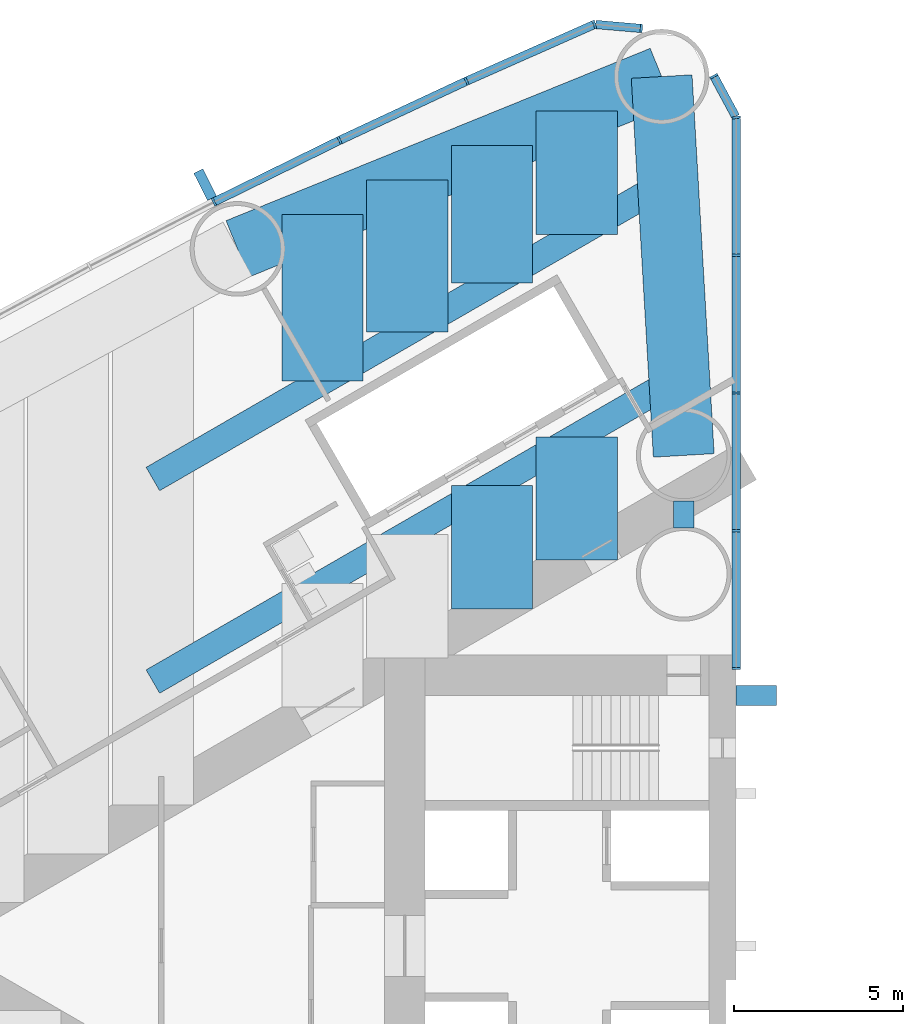
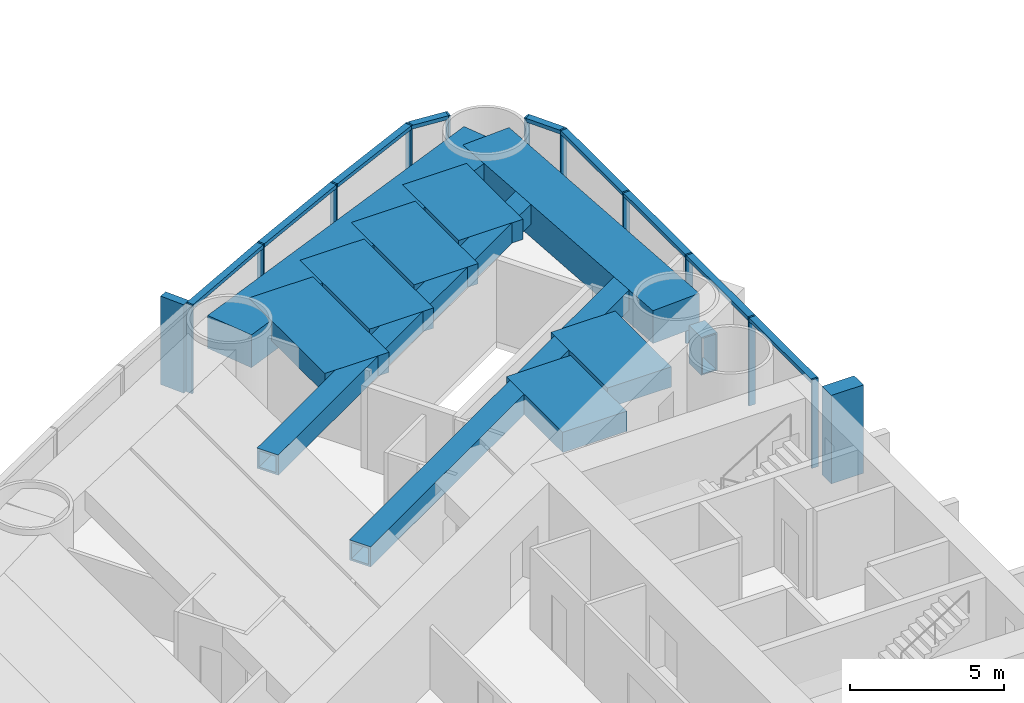
# One storey, part 5 of 18: 22 members, 11 beams, 2 elements without a shape of their own.
"""IFC4 building model written with IfcOpenShell, lengths in metres."""

from ifc_helpers import new_model, si_unit, direction, frame, origin, origin_2d, place, context, subcontext, project, spatial, rectangle, hollow_rectangle, extrude, material, material_profile, profile_set, type_object, element, aggregate, save


model = new_model("IFC4")

# Units and contexts
model_context = context("Model", 3, precision=1e-05, world=origin(), true_north=direction((0.0, 1.0)))
body_context = subcontext(model_context, "Body", "Model", "MODEL_VIEW")
ifc_project = project(units=[si_unit("LENGTHUNIT", "METRE"), si_unit("AREAUNIT", "SQUARE_METRE"), si_unit("VOLUMEUNIT", "CUBIC_METRE"), si_unit("PLANEANGLEUNIT", "RADIAN"), si_unit("MASSUNIT", "GRAM", prefix="KILO")], contexts=[model_context])

# Site, building, storey
site_placement = place(None, origin())
site = spatial("IfcSite", under=ifc_project, at=site_placement, CompositionType="ELEMENT")
building_placement = place(site_placement, origin())
building = spatial("IfcBuilding", under=site, at=building_placement, Name="Lancet Gate Hotel", CompositionType="ELEMENT")
storey_placement = place(building_placement, frame((0.0, 0.0, 46.0)))
storey = spatial("IfcBuildingStorey", under=building, at=storey_placement, Name="L11", CompositionType="ELEMENT", Elevation=46.0)

# Curtain wall, members
ifc_material_1 = material(Name="Aluminium curtain wall", Category="aluminium")
curtain_wall_type = type_object("IfcCurtainWallType", Name="Tower unitised curtain wall", PredefinedType="USERDEFINED", material=ifc_material_1)
curtain_wall_1_placement = place(storey_placement, origin())
curtain_wall_1 = element("IfcCurtainWall", 1, at=curtain_wall_1_placement, inside=storey, type_object=curtain_wall_type, Name="T1 L11 curtain wall 1", ObjectType="UNITISED CURTAIN WALL", PredefinedType="USERDEFINED")
ifc_material_2 = material(Name="Aluminium mullion", Category="aluminium")
ifc_material_profile_1 = material_profile(ifc_material_2, rectangle(XDim=0.06494140625, YDim=0.25, at=origin_2d()), Name="MULLION 65x250")
ifc_profile_set_1 = profile_set([ifc_material_profile_1], Name="Aluminium mullion")
member_type_1 = type_object("IfcMemberType", Name="Aluminium mullion 65x250", PredefinedType="MULLION", material=ifc_profile_set_1)
member_1_placement = place(storey_placement, frame((-27.5, 8.199951171875, 0.0), z_axis=(0.0, 0.0, 1.0), x_axis=(0.0, 1.0, 0.0)))
member_1 = element("IfcMember", 2, at=member_1_placement, type_object=member_type_1, Name="T1 L11 curtain wall 1 mullion 1", PredefinedType="MULLION", context=body_context, shape_type="SweptSolid", body=[
    extrude(rectangle(XDim=0.06494140625, YDim=0.25, at=origin_2d()), origin(), (0.0, 0.0, 1.0), 3.5),
])
member_2_placement = place(storey_placement, frame((-27.5, 12.272705078125, 0.0), z_axis=(0.0, 0.0, 1.0), x_axis=(0.0, 1.0, 0.0)))
member_2 = element("IfcMember", 3, at=member_2_placement, type_object=member_type_1, Name="T1 L11 curtain wall 1 mullion 2", PredefinedType="MULLION", context=body_context, shape_type="SweptSolid", body=[
    extrude(rectangle(XDim=0.06494140625, YDim=0.25, at=origin_2d()), origin(), (0.0, 0.0, 1.0), 3.5),
])
member_3_placement = place(storey_placement, frame((-27.5, 16.345703125, 0.0), z_axis=(0.0, 0.0, 1.0), x_axis=(0.0, 1.0, 0.0)))
member_3 = element("IfcMember", 4, at=member_3_placement, type_object=member_type_1, Name="T1 L11 curtain wall 1 mullion 3", PredefinedType="MULLION", context=body_context, shape_type="SweptSolid", body=[
    extrude(rectangle(XDim=0.06494140625, YDim=0.25, at=origin_2d()), origin(), (0.0, 0.0, 1.0), 3.5),
])
member_4_placement = place(storey_placement, frame((-27.5, 20.41845703125, 0.0), z_axis=(0.0, 0.0, 1.0), x_axis=(0.0, 1.0, 0.0)))
member_4 = element("IfcMember", 5, at=member_4_placement, type_object=member_type_1, Name="T1 L11 curtain wall 1 mullion 4", PredefinedType="MULLION", context=body_context, shape_type="SweptSolid", body=[
    extrude(rectangle(XDim=0.06494140625, YDim=0.25, at=origin_2d()), origin(), (0.0, 0.0, 1.0), 3.5),
])
member_5_placement = place(storey_placement, frame((-27.5, 24.4912109375, 0.0), z_axis=(0.0, 0.0, 1.0), x_axis=(-0.123482502544, 0.992346749662, 0.0)))
member_5 = element("IfcMember", 6, at=member_5_placement, type_object=member_type_1, Name="T1 L11 curtain wall 1 mullion 5", PredefinedType="MULLION", context=body_context, shape_type="SweptSolid", body=[
    extrude(rectangle(XDim=0.06494140625, YDim=0.25, at=origin_2d()), origin(), (0.0, 0.0, 1.0), 3.5),
])
member_6_placement = place(storey_placement, frame((-28.158935546875, 25.712890625, 0.0), z_axis=(0.0, 0.0, 1.0), x_axis=(-0.474631040972, 0.880184852714, 0.0)))
member_6 = element("IfcMember", 7, at=member_6_placement, type_object=member_type_1, Name="T1 L11 curtain wall 1 mullion 6", PredefinedType="MULLION", context=body_context, shape_type="SweptSolid", body=[
    extrude(rectangle(XDim=0.06494140625, YDim=0.25, at=origin_2d()), origin(), (0.0, 0.0, 1.0), 3.5),
])

curtain_wall_2_placement = place(storey_placement, origin())
curtain_wall_2 = element("IfcCurtainWall", 8, at=curtain_wall_2_placement, inside=storey, type_object=curtain_wall_type, Name="T1 L11 curtain wall 2", ObjectType="UNITISED CURTAIN WALL", PredefinedType="USERDEFINED")
member_7_placement = place(storey_placement, frame((-30.3046875, 27.124755859375, 0.0), z_axis=(0.0, 0.0, 1.0), x_axis=(-0.99620380374, 0.087051602022, 0.0)))
member_7 = element("IfcMember", 9, at=member_7_placement, type_object=member_type_1, Name="T1 L11 curtain wall 2 mullion 1", PredefinedType="MULLION", context=body_context, shape_type="SweptSolid", body=[
    extrude(rectangle(XDim=0.06494140625, YDim=0.25, at=origin_2d()), origin(), (0.0, 0.0, 1.0), 3.5),
])
member_8_placement = place(storey_placement, frame((-31.688720703125, 27.24560546875, 0.0), z_axis=(0.0, 0.0, 1.0), x_axis=(-0.957524354695, -0.288352406209, 0.0)))
member_8 = element("IfcMember", 10, at=member_8_placement, type_object=member_type_1, Name="T1 L11 curtain wall 2 mullion 2", PredefinedType="MULLION", context=body_context, shape_type="SweptSolid", body=[
    extrude(rectangle(XDim=0.06494140625, YDim=0.25, at=origin_2d()), origin(), (0.0, 0.0, 1.0), 3.5),
])
member_9_placement = place(storey_placement, frame((-35.473876953125, 25.568115234375, 0.0), z_axis=(0.0, 0.0, 1.0), x_axis=(-0.910219680212, -0.414125746308, 0.0)))
member_9 = element("IfcMember", 11, at=member_9_placement, type_object=member_type_1, Name="T1 L11 curtain wall 2 mullion 3", PredefinedType="MULLION", context=body_context, shape_type="SweptSolid", body=[
    extrude(rectangle(XDim=0.06494140625, YDim=0.25, at=origin_2d()), origin(), (0.0, 0.0, 1.0), 3.5),
])
member_10_placement = place(storey_placement, frame((-39.225341796875, 23.816650390625, 0.0), z_axis=(0.0, 0.0, 1.0), x_axis=(-0.901928838337, -0.431884672772, 0.0)))
member_10 = element("IfcMember", 12, at=member_10_placement, type_object=member_type_1, Name="T1 L11 curtain wall 2 mullion 4", PredefinedType="MULLION", context=body_context, shape_type="SweptSolid", body=[
    extrude(rectangle(XDim=0.06494140625, YDim=0.25, at=origin_2d()), origin(), (0.0, 0.0, 1.0), 3.5),
])
member_11_placement = place(storey_placement, frame((-42.94189453125, 21.991943359375, 0.0), z_axis=(0.0, 0.0, 1.0), x_axis=(-0.893291549794, -0.449477704748, 0.0)))
member_11 = element("IfcMember", 13, at=member_11_placement, type_object=member_type_1, Name="T1 L11 curtain wall 2 mullion 5", PredefinedType="MULLION", context=body_context, shape_type="SweptSolid", body=[
    extrude(rectangle(XDim=0.06494140625, YDim=0.25, at=origin_2d()), origin(), (0.0, 0.0, 1.0), 3.5),
])

# Member
ifc_material_3 = material(Name="Aluminium transom", Category="aluminium")
ifc_material_profile_2 = material_profile(ifc_material_3, rectangle(XDim=0.25, YDim=0.14990234375, at=origin_2d()), Name="TRANSOM 250x150")
ifc_profile_set_2 = profile_set([ifc_material_profile_2], Name="Aluminium transom")
member_type_2 = type_object("IfcMemberType", Name="Aluminium transom 250x150", PredefinedType="USERDEFINED", material=ifc_profile_set_2)
member_12_placement = place(storey_placement, frame((-27.5, 8.232421875, 3.425048828125), z_axis=(0.0, 1.0, 0.0), x_axis=(-1.0, 0.0, 0.0)))
member_12 = element("IfcMember", 14, at=member_12_placement, type_object=member_type_2, Name="T1 L11 curtain wall 1 transom 1", ObjectType="TRANSOM", PredefinedType="USERDEFINED", context=body_context, shape_type="SweptSolid", body=[
    extrude(rectangle(XDim=0.25, YDim=0.14990234375, at=origin_2d()), origin(), (0.0, 0.0, 1.0), 4.0078125),
])

member_13_placement = place(storey_placement, frame((-27.5, 12.30517578125, 3.425048828125), z_axis=(0.0, 1.0, 0.0), x_axis=(-1.0, 0.0, 0.0)))
member_13 = element("IfcMember", 15, at=member_13_placement, type_object=member_type_2, Name="T1 L11 curtain wall 1 transom 2", ObjectType="TRANSOM", PredefinedType="USERDEFINED", context=body_context, shape_type="SweptSolid", body=[
    extrude(rectangle(XDim=0.25, YDim=0.14990234375, at=origin_2d()), origin(), (0.0, 0.0, 1.0), 4.0078125),
])

member_14_placement = place(storey_placement, frame((-27.5, 16.378173828125, 3.425048828125), z_axis=(0.0, 1.0, 0.0), x_axis=(-1.0, 0.0, 0.0)))
member_14 = element("IfcMember", 16, at=member_14_placement, type_object=member_type_2, Name="T1 L11 curtain wall 1 transom 3", ObjectType="TRANSOM", PredefinedType="USERDEFINED", context=body_context, shape_type="SweptSolid", body=[
    extrude(rectangle(XDim=0.25, YDim=0.14990234375, at=origin_2d()), origin(), (0.0, 0.0, 1.0), 4.0078125),
])

member_15_placement = place(storey_placement, frame((-27.5, 20.450927734375, 3.425048828125), z_axis=(0.0, 1.0, 0.0), x_axis=(-1.0, 0.0, 0.0)))
member_15 = element("IfcMember", 17, at=member_15_placement, type_object=member_type_2, Name="T1 L11 curtain wall 1 transom 4", ObjectType="TRANSOM", PredefinedType="USERDEFINED", context=body_context, shape_type="SweptSolid", body=[
    extrude(rectangle(XDim=0.25, YDim=0.14990234375, at=origin_2d()), origin(), (0.0, 0.0, 1.0), 4.0078125),
])

member_16_placement = place(storey_placement, frame((-27.515380859375, 24.519775390625, 3.425048828125), z_axis=(-0.474605926905, 0.880198394765, 0.0), x_axis=(-0.880198394765, -0.474605926905, 0.0)))
member_16 = element("IfcMember", 18, at=member_16_placement, type_object=member_type_2, Name="T1 L11 curtain wall 1 transom 5", ObjectType="TRANSOM", PredefinedType="USERDEFINED", context=body_context, shape_type="SweptSolid", body=[
    extrude(rectangle(XDim=0.25, YDim=0.14990234375, at=origin_2d()), origin(), (0.0, 0.0, 1.0), 1.322998046875),
])

aggregate(curtain_wall_1, [member_1, member_2, member_3, member_4, member_5, member_6, member_12, member_13, member_14, member_15, member_16])

member_17_placement = place(storey_placement, frame((-30.337158203125, 27.127685546875, 3.425048828125), z_axis=(-0.99620591587, 0.087027427779, 0.0), x_axis=(-0.087027427779, -0.99620591587, 0.0)))
member_17 = element("IfcMember", 19, at=member_17_placement, type_object=member_type_2, Name="T1 L11 curtain wall 2 transom 1", ObjectType="TRANSOM", PredefinedType="USERDEFINED", context=body_context, shape_type="SweptSolid", body=[
    extrude(rectangle(XDim=0.25, YDim=0.14990234375, at=origin_2d()), origin(), (0.0, 0.0, 1.0), 1.32421875),
])

member_18_placement = place(storey_placement, frame((-31.71826171875, 27.232421875, 3.425048828125), z_axis=(-0.914248281954, -0.405154389022, 0.0), x_axis=(0.405154389022, -0.914248281954, 0.0)))
member_18 = element("IfcMember", 20, at=member_18_placement, type_object=member_type_2, Name="T1 L11 curtain wall 2 transom 2", ObjectType="TRANSOM", PredefinedType="USERDEFINED", context=body_context, shape_type="SweptSolid", body=[
    extrude(rectangle(XDim=0.25, YDim=0.14990234375, at=origin_2d()), origin(), (0.0, 0.0, 1.0), 4.0751953125),
])

member_19_placement = place(storey_placement, frame((-35.503173828125, 25.554443359375, 3.425048828125), z_axis=(-0.906109667261, -0.423042871228, 0.0), x_axis=(0.423042871228, -0.906109667261, 0.0)))
member_19 = element("IfcMember", 21, at=member_19_placement, type_object=member_type_2, Name="T1 L11 curtain wall 2 transom 3", ObjectType="TRANSOM", PredefinedType="USERDEFINED", context=body_context, shape_type="SweptSolid", body=[
    extrude(rectangle(XDim=0.25, YDim=0.14990234375, at=origin_2d()), origin(), (0.0, 0.0, 1.0), 4.075439453125),
])

member_20_placement = place(storey_placement, frame((-39.254638671875, 23.80224609375, 3.425048828125), z_axis=(-0.897662439958, -0.440683723194, 0.0), x_axis=(0.440683723194, -0.897662439958, 0.0)))
member_20 = element("IfcMember", 22, at=member_20_placement, type_object=member_type_2, Name="T1 L11 curtain wall 2 transom 4", ObjectType="TRANSOM", PredefinedType="USERDEFINED", context=body_context, shape_type="SweptSolid", body=[
    extrude(rectangle(XDim=0.25, YDim=0.14990234375, at=origin_2d()), origin(), (0.0, 0.0, 1.0), 4.0751953125),
])

# Beams
ifc_material_4 = material(Name="Concrete C50/60", Category="concrete")
ifc_material_profile_3 = material_profile(ifc_material_4, rectangle(XDim=1.800048828125, YDim=1.300048828125, at=origin_2d()), Name="RC 1800x1300")
ifc_profile_set_3 = profile_set([ifc_material_profile_3], Name="Concrete C50/60")
beam_type_1 = type_object("IfcBeamType", Name="Edge beam RC 1800x1300", PredefinedType="SPANDREL", material=ifc_profile_set_3)
beam_1_placement = place(storey_placement, frame((-29.703369140625, 25.70263671875, 2.60009765625), z_axis=(-0.926463236197, -0.376385270667, 0.0), x_axis=(0.376385270667, -0.926463236197, 0.0)))
element("IfcBeam", 23, at=beam_1_placement, inside=storey, type_object=beam_type_1, Name="T1 edge beam EB1 L11", PredefinedType="SPANDREL", context=body_context, shape_type="SweptSolid", body=[
    extrude(rectangle(XDim=1.800048828125, YDim=1.300048828125, at=origin_2d()), origin(), (0.0, 0.0, 1.0), 13.537353515625),
])
beam_2_placement = place(storey_placement, frame((-29.703369140625, 25.70263671875, 2.60009765625), z_axis=(0.058219521912, -0.998303805096, 0.0), x_axis=(0.998303805096, 0.058219521912, 0.0)))
element("IfcBeam", 24, at=beam_2_placement, inside=storey, type_object=beam_type_1, Name="T1 edge beam EB1 L11", PredefinedType="SPANDREL", context=body_context, shape_type="SweptSolid", body=[
    extrude(rectangle(XDim=1.800048828125, YDim=1.300048828125, at=origin_2d()), origin(), (0.0, 0.0, 1.0), 11.2216796875),
])

# Member
ifc_material_5 = material(Name="Concrete C60/75", Category="concrete")
ifc_material_profile_4 = material_profile(ifc_material_5, rectangle(XDim=0.60009765625, YDim=1.199951171875, at=origin_2d()), Name="FIN 600x1200")
ifc_profile_set_4 = profile_set([ifc_material_profile_4], Name="Concrete C60/75")
member_type_3 = type_object("IfcMemberType", Name="Exposed concrete buttress pilaster 600x1200", PredefinedType="USERDEFINED", material=ifc_profile_set_4)
member_21_placement = place(storey_placement, frame((-26.909912109375, 7.39990234375, 0.0), z_axis=(0.0, 0.0, 1.0), x_axis=(0.0, 1.0, 0.0)))
element("IfcMember", 25, at=member_21_placement, inside=storey, type_object=member_type_3, Name="T1 buttress pilaster S L11", ObjectType="FIN", PredefinedType="USERDEFINED", context=body_context, shape_type="SweptSolid", body=[
    extrude(rectangle(XDim=0.60009765625, YDim=1.199951171875, at=origin_2d()), origin(), (0.0, 0.0, 1.0), 3.5),
])

ifc_material_6 = material(Name="Precast concrete C50/60", Category="concrete")
ifc_material_profile_5 = material_profile(ifc_material_6, rectangle(XDim=0.300048828125, YDim=0.89990234375, at=origin_2d()), Name="FIN 300x900")
ifc_profile_set_5 = profile_set([ifc_material_profile_5], Name="Precast concrete C50/60")
member_type_4 = type_object("IfcMemberType", Name="Exposed concrete fin 300x900", PredefinedType="USERDEFINED", material=ifc_profile_set_5)
member_22_placement = place(storey_placement, frame((-43.200439453125, 22.505615234375, 0.0), z_axis=(0.0, 0.0, 1.0), x_axis=(-0.893291549794, -0.449477704748, 0.0)))
member_22 = element("IfcMember", 26, at=member_22_placement, type_object=member_type_4, Name="T1 L11 curtain wall 2 fin 5", ObjectType="FIN", PredefinedType="USERDEFINED", context=body_context, shape_type="SweptSolid", body=[
    extrude(rectangle(XDim=0.300048828125, YDim=0.89990234375, at=origin_2d()), origin(), (0.0, 0.0, 1.0), 3.5),
])

aggregate(curtain_wall_2, [member_7, member_8, member_9, member_10, member_11, member_22, member_17, member_18, member_19, member_20])

# Beams
ifc_material_7 = material(Name="Concrete C50/60", Category="concrete")
ifc_material_profile_6 = material_profile(ifc_material_7, rectangle(XDim=2.39990234375, YDim=0.800048828125, at=origin_2d()), Name="RC 2400x800")
ifc_profile_set_6 = profile_set([ifc_material_profile_6], Name="Concrete C50/60")
beam_type_2 = type_object("IfcBeamType", Name="Floor beam RC 2400x800", PredefinedType="BEAM", material=ifc_profile_set_6)
beam_3_placement = place(storey_placement, frame((-32.213623046875, 24.682861328125, 2.85009765625), z_axis=(0.0, -1.0, 0.0), x_axis=(1.0, 0.0, 0.0)))
element("IfcBeam", 27, at=beam_3_placement, inside=storey, type_object=beam_type_2, Name="T1 floor beam F02SA L11", PredefinedType="BEAM", context=body_context, shape_type="SweptSolid", body=[
    extrude(rectangle(XDim=2.39990234375, YDim=0.800048828125, at=origin_2d()), origin(), (0.0, 0.0, 1.0), 3.643798828125),
])
beam_4_placement = place(storey_placement, frame((-32.213623046875, 15.051025390625, 2.85009765625), z_axis=(0.0, -1.0, 0.0), x_axis=(1.0, 0.0, 0.0)))
element("IfcBeam", 28, at=beam_4_placement, inside=storey, type_object=beam_type_2, Name="T1 floor beam F02SB L11", PredefinedType="BEAM", context=body_context, shape_type="SweptSolid", body=[
    extrude(rectangle(XDim=2.39990234375, YDim=0.800048828125, at=origin_2d()), origin(), (0.0, 0.0, 1.0), 3.645751953125),
])
beam_5_placement = place(storey_placement, frame((-34.720458984375, 23.664306640625, 2.85009765625), z_axis=(0.0, -1.0, 0.0), x_axis=(1.0, 0.0, 0.0)))
element("IfcBeam", 29, at=beam_5_placement, inside=storey, type_object=beam_type_2, Name="T1 floor beam F04SA L11", PredefinedType="BEAM", context=body_context, shape_type="SweptSolid", body=[
    extrude(rectangle(XDim=2.39990234375, YDim=0.800048828125, at=origin_2d()), origin(), (0.0, 0.0, 1.0), 4.07275390625),
])
beam_6_placement = place(storey_placement, frame((-34.720458984375, 13.603759765625, 2.85009765625), z_axis=(0.0, -1.0, 0.0), x_axis=(1.0, 0.0, 0.0)))
element("IfcBeam", 30, at=beam_6_placement, inside=storey, type_object=beam_type_2, Name="T1 floor beam F04SB L11", PredefinedType="BEAM", context=body_context, shape_type="SweptSolid", body=[
    extrude(rectangle(XDim=2.39990234375, YDim=0.800048828125, at=origin_2d()), origin(), (0.0, 0.0, 1.0), 3.645751953125),
])
beam_7_placement = place(storey_placement, frame((-37.227294921875, 22.64599609375, 2.85009765625), z_axis=(0.0, -1.0, 0.0), x_axis=(1.0, 0.0, 0.0)))
element("IfcBeam", 31, at=beam_7_placement, inside=storey, type_object=beam_type_2, Name="T1 floor beam F05SA L11", PredefinedType="BEAM", context=body_context, shape_type="SweptSolid", body=[
    extrude(rectangle(XDim=2.39990234375, YDim=0.800048828125, at=origin_2d()), origin(), (0.0, 0.0, 1.0), 4.501953125),
])
beam_8_placement = place(storey_placement, frame((-39.734130859375, 21.627685546875, 2.85009765625), z_axis=(0.0, -1.0, 0.0), x_axis=(1.0, 0.0, 0.0)))
element("IfcBeam", 32, at=beam_8_placement, inside=storey, type_object=beam_type_2, Name="T1 floor beam F07SA L11", PredefinedType="BEAM", context=body_context, shape_type="SweptSolid", body=[
    extrude(rectangle(XDim=2.39990234375, YDim=0.800048828125, at=origin_2d()), origin(), (0.0, 0.0, 1.0), 4.93115234375),
])
ifc_material_8 = material(Name="Steel S460QL", Category="steel")
ifc_material_profile_7 = material_profile(ifc_material_8, hollow_rectangle(XDim=0.60009765625, YDim=1.5, WallThickness=0.050048828125, at=origin_2d()), Name="BOX 1500x600x50")
ifc_profile_set_7 = profile_set([ifc_material_profile_7], Name="Steel S460QL")
beam_type_3 = type_object("IfcBeamType", Name="Inner-face link beam BOX 1500x600x50", PredefinedType="BEAM", material=ifc_profile_set_7)
beam_9_placement = place(storey_placement, frame((-29.050048828125, 13.14990234375, 2.5), z_axis=(0.0, -1.0, 0.0), x_axis=(1.0, 0.0, 0.0)))
element("IfcBeam", 33, at=beam_9_placement, inside=storey, type_object=beam_type_3, Name="T1 inner-face link beam LK1 L11", PredefinedType="BEAM", context=body_context, shape_type="SweptSolid", body=[
    extrude(hollow_rectangle(XDim=0.60009765625, YDim=1.5, WallThickness=0.050048828125, at=origin_2d()), origin(), (0.0, 0.0, 1.0), 0.7998046875),
])
ifc_material_9 = material(Name="Steel S460QL", Category="steel")
ifc_material_profile_8 = material_profile(ifc_material_9, hollow_rectangle(XDim=0.800048828125, YDim=0.800048828125, WallThickness=0.080078125, at=origin_2d()), Name="BOX 800x800x80")
ifc_profile_set_8 = profile_set([ifc_material_profile_8], Name="Steel S460QL")
beam_type_4 = type_object("IfcBeamType", Name="Trimmer beam BOX 800x800x80", PredefinedType="BEAM", material=ifc_profile_set_8)
beam_10_placement = place(storey_placement, frame((-29.18408203125, 16.800537109375, 2.85009765625), z_axis=(-0.865998945969, -0.500045823481, 0.0), x_axis=(0.500045823481, -0.865998945969, 0.0)))
element("IfcBeam", 34, at=beam_10_placement, inside=storey, type_object=beam_type_4, Name="T1 trimmer beam TR01S L11", PredefinedType="BEAM", context=body_context, shape_type="SweptSolid", body=[
    extrude(hollow_rectangle(XDim=0.800048828125, YDim=0.800048828125, WallThickness=0.080078125, at=origin_2d()), origin(), (0.0, 0.0, 1.0), 17.971923828125),
])
beam_11_placement = place(storey_placement, frame((-29.52197265625, 22.59326171875, 2.85009765625), z_axis=(-0.866004054636, -0.500036975987, 0.0), x_axis=(0.500036975987, -0.866004054636, 0.0)))
element("IfcBeam", 35, at=beam_11_placement, inside=storey, type_object=beam_type_4, Name="T1 trimmer beam TR02S L11", PredefinedType="BEAM", context=body_context, shape_type="SweptSolid", body=[
    extrude(hollow_rectangle(XDim=0.800048828125, YDim=0.800048828125, WallThickness=0.080078125, at=origin_2d()), origin(), (0.0, 0.0, 1.0), 17.581787109375),
])

save(model, "model.ifc")
